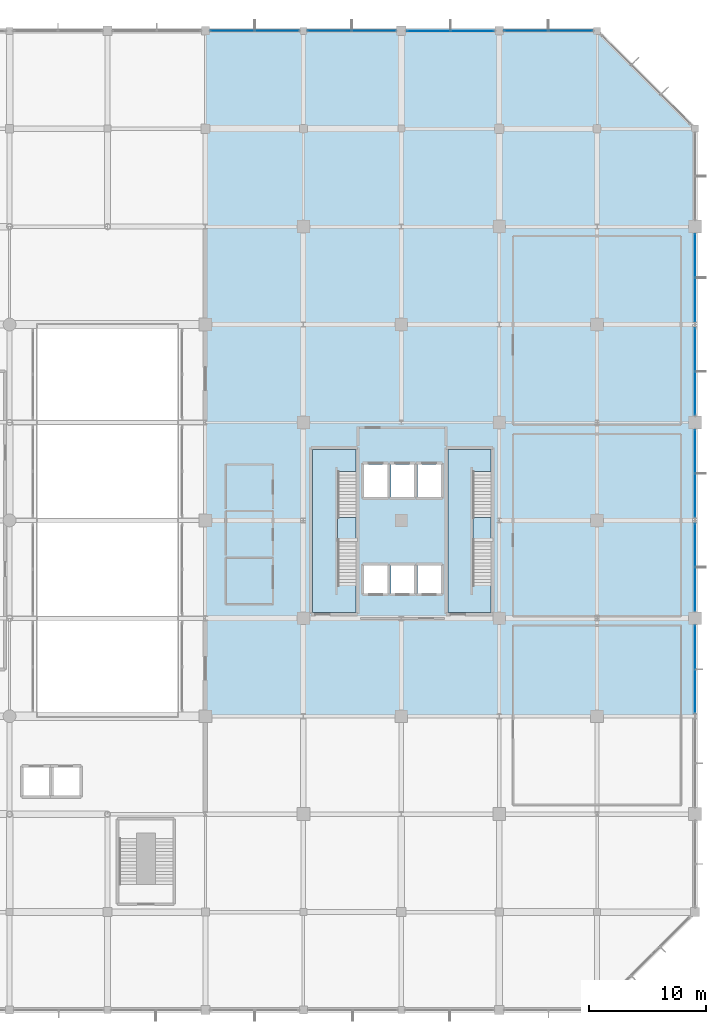
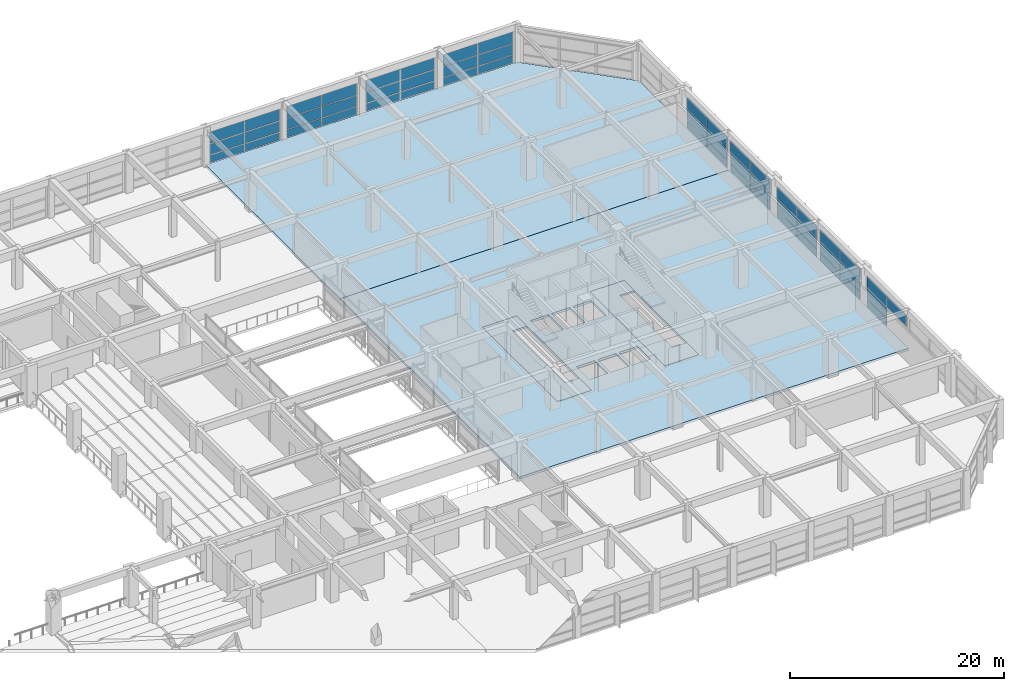
# One storey, part 47 of 62: 52 plates, 6 slabs, 11 elements without a shape of their own.
"""IFC4 building model written with IfcOpenShell, lengths in metres."""

from ifc_helpers import new_model, si_unit, direction, frame, origin, origin_2d, place, context, subcontext, project, spatial, polyline, rectangle, outline, extrude, material, layer, layer_set, type_object, element, aggregate, save


model = new_model("IFC4")

# Units and contexts
model_context = context("Model", 3, precision=1e-05, world=origin(), true_north=direction((0.0, 1.0)))
body_context = subcontext(model_context, "Body", "Model", "MODEL_VIEW")
ifc_project = project(units=[si_unit("LENGTHUNIT", "METRE"), si_unit("AREAUNIT", "SQUARE_METRE"), si_unit("VOLUMEUNIT", "CUBIC_METRE"), si_unit("PLANEANGLEUNIT", "RADIAN"), si_unit("MASSUNIT", "GRAM", prefix="KILO")], contexts=[model_context])

# Site, building, storey
site_placement = place(None, origin())
site = spatial("IfcSite", under=ifc_project, at=site_placement, CompositionType="ELEMENT")
building_placement = place(site_placement, origin())
building = spatial("IfcBuilding", under=site, at=building_placement, Name="Xuanlan Plaza Opera House", CompositionType="ELEMENT")
storey_placement = place(building_placement, frame((0.0, 0.0, 14.39990234375)))
storey = spatial("IfcBuildingStorey", under=building, at=storey_placement, Name="L03", CompositionType="ELEMENT", Elevation=14.39990234375)

# Curtain wall, plates
ifc_material_1 = material(Name="Anodised Aluminium 6063-T6 and Low-E Glass", Category="aluminium")
curtain_wall_type_1 = type_object("IfcCurtainWallType", Name="ENV-CW-CW-03", PredefinedType="USERDEFINED", material=ifc_material_1)
curtain_wall_1_placement = place(storey_placement, origin())
curtain_wall_1 = element("IfcCurtainWall", 1, at=curtain_wall_1_placement, inside=storey, type_object=curtain_wall_type_1, Name="Unitised Curtain Wall L03-022", ObjectType="UNITISED CURTAIN WALL", PredefinedType="USERDEFINED")
ifc_material_2 = material(Name="Laminated Acoustic Double Glazing", Category="glass")
ifc_layer_1 = layer(ifc_material_2, 0.028076171875)
ifc_layer_set_1 = layer_set([ifc_layer_1], Name="Laminated Acoustic Double Glazing")
plate_type_1 = type_object("IfcPlateType", Name="ENV-CWP-01", PredefinedType="CURTAIN_PANEL", material=ifc_layer_set_1)
plate_1_placement = place(storey_placement, frame((168.0, 44.139892578125, 2.2900390625), z_axis=(0.0, 0.0, 1.0), x_axis=(0.0, 1.0, 0.0)))
plate_1 = element("IfcPlate", 2, at=plate_1_placement, type_object=plate_type_1, Name="CW-03 panel 1.3", PredefinedType="CURTAIN_PANEL", context=body_context, shape_type="SweptSolid", body=[
    extrude(rectangle(XDim=3.699951171875, YDim=0.028076171875, at=origin_2d()), origin(), (0.0, 0.0, 1.0), 1.31005859375),
])
plate_2_placement = place(storey_placement, frame((168.0, 47.909912109375, 0.080078125), z_axis=(0.0, 0.0, 1.0), x_axis=(0.0, 1.0, 0.0)))
plate_2 = element("IfcPlate", 3, at=plate_2_placement, type_object=plate_type_1, Name="CW-03 panel 2.1", PredefinedType="CURTAIN_PANEL", context=body_context, shape_type="SweptSolid", body=[
    extrude(rectangle(XDim=3.699951171875, YDim=0.028076171875, at=origin_2d()), origin(), (0.0, 0.0, 1.0), 0.830078125),
])
plate_3_placement = place(storey_placement, frame((168.0, 47.909912109375, 0.990234375), z_axis=(0.0, 0.0, 1.0), x_axis=(0.0, 1.0, 0.0)))
plate_3 = element("IfcPlate", 4, at=plate_3_placement, type_object=plate_type_1, Name="CW-03 panel 2.2", PredefinedType="CURTAIN_PANEL", context=body_context, shape_type="SweptSolid", body=[
    extrude(rectangle(XDim=3.699951171875, YDim=0.028076171875, at=origin_2d()), origin(), (0.0, 0.0, 1.0), 1.219970703125),
])
plate_4_placement = place(storey_placement, frame((168.0, 47.909912109375, 2.2900390625), z_axis=(0.0, 0.0, 1.0), x_axis=(0.0, 1.0, 0.0)))
plate_4 = element("IfcPlate", 5, at=plate_4_placement, type_object=plate_type_1, Name="CW-03 panel 2.3", PredefinedType="CURTAIN_PANEL", context=body_context, shape_type="SweptSolid", body=[
    extrude(rectangle(XDim=3.699951171875, YDim=0.028076171875, at=origin_2d()), origin(), (0.0, 0.0, 1.0), 1.31005859375),
])
aggregate(curtain_wall_1, [plate_1, plate_2, plate_3, plate_4])

curtain_wall_type_2 = type_object("IfcCurtainWallType", Name="ENV-CW-CW-05", PredefinedType="USERDEFINED", material=ifc_material_1)
curtain_wall_2_placement = place(storey_placement, origin())
curtain_wall_2 = element("IfcCurtainWall", 6, at=curtain_wall_2_placement, inside=storey, type_object=curtain_wall_type_2, Name="Acoustic Glazed Wall L03-032", ObjectType="ACOUSTIC GLAZED WALL", PredefinedType="USERDEFINED")
plate_5_placement = place(storey_placement, frame((132.135009765625, 100.800048828125, 0.080078125), z_axis=(0.0, 0.0, 1.0), x_axis=(-1.0, 0.0, 0.0)))
plate_5 = element("IfcPlate", 7, at=plate_5_placement, type_object=plate_type_1, Name="CW-05 panel 1.1", PredefinedType="CURTAIN_PANEL", context=body_context, shape_type="SweptSolid", body=[
    extrude(rectangle(XDim=3.75, YDim=0.028076171875, at=origin_2d()), origin(), (0.0, 0.0, 1.0), 0.830078125),
])
plate_6_placement = place(storey_placement, frame((132.135009765625, 100.800048828125, 0.990234375), z_axis=(0.0, 0.0, 1.0), x_axis=(-1.0, 0.0, 0.0)))
plate_6 = element("IfcPlate", 8, at=plate_6_placement, type_object=plate_type_1, Name="CW-05 panel 1.2", PredefinedType="CURTAIN_PANEL", context=body_context, shape_type="SweptSolid", body=[
    extrude(rectangle(XDim=3.75, YDim=0.028076171875, at=origin_2d()), origin(), (0.0, 0.0, 1.0), 1.219970703125),
])
plate_7_placement = place(storey_placement, frame((132.135009765625, 100.800048828125, 2.2900390625), z_axis=(0.0, 0.0, 1.0), x_axis=(-1.0, 0.0, 0.0)))
plate_7 = element("IfcPlate", 9, at=plate_7_placement, type_object=plate_type_1, Name="CW-05 panel 1.3", PredefinedType="CURTAIN_PANEL", context=body_context, shape_type="SweptSolid", body=[
    extrude(rectangle(XDim=3.75, YDim=0.028076171875, at=origin_2d()), origin(), (0.0, 0.0, 1.0), 1.31005859375),
])
plate_8_placement = place(storey_placement, frame((128.31494140625, 100.800048828125, 0.080078125), z_axis=(0.0, 0.0, 1.0), x_axis=(-1.0, 0.0, 0.0)))
plate_8 = element("IfcPlate", 10, at=plate_8_placement, type_object=plate_type_1, Name="CW-05 panel 2.1", PredefinedType="CURTAIN_PANEL", context=body_context, shape_type="SweptSolid", body=[
    extrude(rectangle(XDim=3.75, YDim=0.028076171875, at=origin_2d()), origin(), (0.0, 0.0, 1.0), 0.830078125),
])
plate_9_placement = place(storey_placement, frame((128.31494140625, 100.800048828125, 0.990234375), z_axis=(0.0, 0.0, 1.0), x_axis=(-1.0, 0.0, 0.0)))
plate_9 = element("IfcPlate", 11, at=plate_9_placement, type_object=plate_type_1, Name="CW-05 panel 2.2", PredefinedType="CURTAIN_PANEL", context=body_context, shape_type="SweptSolid", body=[
    extrude(rectangle(XDim=3.75, YDim=0.028076171875, at=origin_2d()), origin(), (0.0, 0.0, 1.0), 1.219970703125),
])
plate_10_placement = place(storey_placement, frame((128.31494140625, 100.800048828125, 2.2900390625), z_axis=(0.0, 0.0, 1.0), x_axis=(-1.0, 0.0, 0.0)))
plate_10 = element("IfcPlate", 12, at=plate_10_placement, type_object=plate_type_1, Name="CW-05 panel 2.3", PredefinedType="CURTAIN_PANEL", context=body_context, shape_type="SweptSolid", body=[
    extrude(rectangle(XDim=3.75, YDim=0.028076171875, at=origin_2d()), origin(), (0.0, 0.0, 1.0), 1.31005859375),
])
aggregate(curtain_wall_2, [plate_5, plate_6, plate_7, plate_8, plate_9, plate_10])

curtain_wall_type_3 = type_object("IfcCurtainWallType", Name="ENV-CW-CW-01", PredefinedType="USERDEFINED", material=ifc_material_1)
curtain_wall_3_placement = place(storey_placement, origin())
curtain_wall_3 = element("IfcCurtainWall", 13, at=curtain_wall_3_placement, inside=storey, type_object=curtain_wall_type_3, Name="Unitised Curtain Wall L03-024", ObjectType="UNITISED CURTAIN WALL", PredefinedType="USERDEFINED")
ifc_layer_2 = layer(ifc_material_2, 0.031982421875)
ifc_layer_set_2 = layer_set([ifc_layer_2], Name="Laminated Acoustic Double Glazing")
plate_type_2 = type_object("IfcPlateType", Name="ENV-CWP-02", PredefinedType="CURTAIN_PANEL", material=ifc_layer_set_2)
plate_11_placement = place(storey_placement, frame((168.0, 60.9423828125, 0.0751953125), z_axis=(0.0, 0.0, 1.0), x_axis=(0.0, 1.0, 0.0)))
plate_11 = element("IfcPlate", 14, at=plate_11_placement, type_object=plate_type_2, Name="CW-01 panel 1.1", PredefinedType="CURTAIN_PANEL", context=body_context, shape_type="SweptSolid", body=[
    extrude(rectangle(XDim=3.68505859375, YDim=0.031982421875, at=origin_2d()), origin(), (0.0, 0.0, 1.0), 0.83740234375),
])
plate_12_placement = place(storey_placement, frame((168.0, 60.9423828125, 0.987548828125), z_axis=(0.0, 0.0, 1.0), x_axis=(0.0, 1.0, 0.0)))
plate_12 = element("IfcPlate", 15, at=plate_12_placement, type_object=plate_type_2, Name="CW-01 panel 1.2", PredefinedType="CURTAIN_PANEL", context=body_context, shape_type="SweptSolid", body=[
    extrude(rectangle(XDim=3.68505859375, YDim=0.031982421875, at=origin_2d()), origin(), (0.0, 0.0, 1.0), 1.22509765625),
])
plate_13_placement = place(storey_placement, frame((168.0, 60.9423828125, 2.28759765625), z_axis=(0.0, 0.0, 1.0), x_axis=(0.0, 1.0, 0.0)))
plate_13 = element("IfcPlate", 16, at=plate_13_placement, type_object=plate_type_2, Name="CW-01 panel 1.3", PredefinedType="CURTAIN_PANEL", context=body_context, shape_type="SweptSolid", body=[
    extrude(rectangle(XDim=3.68505859375, YDim=0.031982421875, at=origin_2d()), origin(), (0.0, 0.0, 1.0), 1.3173828125),
])
plate_14_placement = place(storey_placement, frame((168.0, 64.70751953125, 0.0751953125), z_axis=(0.0, 0.0, 1.0), x_axis=(0.0, 1.0, 0.0)))
plate_14 = element("IfcPlate", 17, at=plate_14_placement, type_object=plate_type_2, Name="CW-01 panel 2.1", PredefinedType="CURTAIN_PANEL", context=body_context, shape_type="SweptSolid", body=[
    extrude(rectangle(XDim=3.68505859375, YDim=0.031982421875, at=origin_2d()), origin(), (0.0, 0.0, 1.0), 0.83740234375),
])
plate_15_placement = place(storey_placement, frame((168.0, 64.70751953125, 0.987548828125), z_axis=(0.0, 0.0, 1.0), x_axis=(0.0, 1.0, 0.0)))
plate_15 = element("IfcPlate", 18, at=plate_15_placement, type_object=plate_type_2, Name="CW-01 panel 2.2", PredefinedType="CURTAIN_PANEL", context=body_context, shape_type="SweptSolid", body=[
    extrude(rectangle(XDim=3.68505859375, YDim=0.031982421875, at=origin_2d()), origin(), (0.0, 0.0, 1.0), 1.22509765625),
])
plate_16_placement = place(storey_placement, frame((168.0, 64.70751953125, 2.28759765625), z_axis=(0.0, 0.0, 1.0), x_axis=(0.0, 1.0, 0.0)))
plate_16 = element("IfcPlate", 19, at=plate_16_placement, type_object=plate_type_2, Name="CW-01 panel 2.3", PredefinedType="CURTAIN_PANEL", context=body_context, shape_type="SweptSolid", body=[
    extrude(rectangle(XDim=3.68505859375, YDim=0.031982421875, at=origin_2d()), origin(), (0.0, 0.0, 1.0), 1.3173828125),
])
aggregate(curtain_wall_3, [plate_11, plate_12, plate_13, plate_14, plate_15, plate_16])

curtain_wall_type_4 = type_object("IfcCurtainWallType", Name="ENV-CW-CW-02", PredefinedType="USERDEFINED", material=ifc_material_1)
curtain_wall_4_placement = place(storey_placement, origin())
curtain_wall_4 = element("IfcCurtainWall", 20, at=curtain_wall_4_placement, inside=storey, type_object=curtain_wall_type_4, Name="Unitised Curtain Wall L03-029", ObjectType="UNITISED CURTAIN WALL", PredefinedType="USERDEFINED")
plate_17_placement = place(storey_placement, frame((157.33251953125, 100.800048828125, 0.0751953125), z_axis=(0.0, 0.0, 1.0), x_axis=(-1.0, 0.0, 0.0)))
plate_17 = element("IfcPlate", 21, at=plate_17_placement, type_object=plate_type_2, Name="CW-02 panel 1.1", PredefinedType="CURTAIN_PANEL", context=body_context, shape_type="SweptSolid", body=[
    extrude(rectangle(XDim=3.735107421875, YDim=0.031982421875, at=origin_2d()), origin(), (0.0, 0.0, 1.0), 0.83740234375),
])
plate_18_placement = place(storey_placement, frame((157.33251953125, 100.800048828125, 0.987548828125), z_axis=(0.0, 0.0, 1.0), x_axis=(-1.0, 0.0, 0.0)))
plate_18 = element("IfcPlate", 22, at=plate_18_placement, type_object=plate_type_2, Name="CW-02 panel 1.2", PredefinedType="CURTAIN_PANEL", context=body_context, shape_type="SweptSolid", body=[
    extrude(rectangle(XDim=3.735107421875, YDim=0.031982421875, at=origin_2d()), origin(), (0.0, 0.0, 1.0), 1.22509765625),
])
plate_19_placement = place(storey_placement, frame((157.33251953125, 100.800048828125, 2.28759765625), z_axis=(0.0, 0.0, 1.0), x_axis=(-1.0, 0.0, 0.0)))
plate_19 = element("IfcPlate", 23, at=plate_19_placement, type_object=plate_type_2, Name="CW-02 panel 1.3", PredefinedType="CURTAIN_PANEL", context=body_context, shape_type="SweptSolid", body=[
    extrude(rectangle(XDim=3.735107421875, YDim=0.031982421875, at=origin_2d()), origin(), (0.0, 0.0, 1.0), 1.3173828125),
])
plate_20_placement = place(storey_placement, frame((153.517578125, 100.800048828125, 0.0751953125), z_axis=(0.0, 0.0, 1.0), x_axis=(-1.0, 0.0, 0.0)))
plate_20 = element("IfcPlate", 24, at=plate_20_placement, type_object=plate_type_2, Name="CW-02 panel 2.1", PredefinedType="CURTAIN_PANEL", context=body_context, shape_type="SweptSolid", body=[
    extrude(rectangle(XDim=3.735107421875, YDim=0.031982421875, at=origin_2d()), origin(), (0.0, 0.0, 1.0), 0.83740234375),
])
plate_21_placement = place(storey_placement, frame((153.517578125, 100.800048828125, 0.987548828125), z_axis=(0.0, 0.0, 1.0), x_axis=(-1.0, 0.0, 0.0)))
plate_21 = element("IfcPlate", 25, at=plate_21_placement, type_object=plate_type_2, Name="CW-02 panel 2.2", PredefinedType="CURTAIN_PANEL", context=body_context, shape_type="SweptSolid", body=[
    extrude(rectangle(XDim=3.735107421875, YDim=0.031982421875, at=origin_2d()), origin(), (0.0, 0.0, 1.0), 1.22509765625),
])
plate_22_placement = place(storey_placement, frame((153.517578125, 100.800048828125, 2.28759765625), z_axis=(0.0, 0.0, 1.0), x_axis=(-1.0, 0.0, 0.0)))
plate_22 = element("IfcPlate", 26, at=plate_22_placement, type_object=plate_type_2, Name="CW-02 panel 2.3", PredefinedType="CURTAIN_PANEL", context=body_context, shape_type="SweptSolid", body=[
    extrude(rectangle(XDim=3.735107421875, YDim=0.031982421875, at=origin_2d()), origin(), (0.0, 0.0, 1.0), 1.3173828125),
])
aggregate(curtain_wall_4, [plate_17, plate_18, plate_19, plate_20, plate_21, plate_22])

curtain_wall_5_placement = place(storey_placement, origin())
curtain_wall_5 = element("IfcCurtainWall", 27, at=curtain_wall_5_placement, inside=storey, type_object=curtain_wall_type_1, Name="Unitised Curtain Wall L03-026", ObjectType="UNITISED CURTAIN WALL", PredefinedType="USERDEFINED")
ifc_layer_3 = layer(ifc_material_2, 0.035888671875)
ifc_layer_set_3 = layer_set([ifc_layer_3], Name="Laminated Acoustic Double Glazing")
plate_type_3 = type_object("IfcPlateType", Name="ENV-CWP-03", PredefinedType="CURTAIN_PANEL", material=ifc_layer_set_3)
plate_23_placement = place(storey_placement, frame((168.0, 77.73876953125, 0.0703125), z_axis=(0.0, 0.0, 1.0), x_axis=(0.0, 1.0, 0.0)))
plate_23 = element("IfcPlate", 28, at=plate_23_placement, type_object=plate_type_3, Name="CW-03 panel 1.1", PredefinedType="CURTAIN_PANEL", context=body_context, shape_type="SweptSolid", body=[
    extrude(rectangle(XDim=3.70751953125, YDim=0.035888671875, at=origin_2d()), origin(), (0.0, 0.0, 1.0), 0.844970703125),
])
plate_24_placement = place(storey_placement, frame((168.0, 77.73876953125, 0.985107421875), z_axis=(0.0, 0.0, 1.0), x_axis=(0.0, 1.0, 0.0)))
plate_24 = element("IfcPlate", 29, at=plate_24_placement, type_object=plate_type_3, Name="CW-03 panel 1.2", PredefinedType="CURTAIN_PANEL", context=body_context, shape_type="SweptSolid", body=[
    extrude(rectangle(XDim=3.70751953125, YDim=0.035888671875, at=origin_2d()), origin(), (0.0, 0.0, 1.0), 1.22998046875),
])
plate_25_placement = place(storey_placement, frame((168.0, 77.73876953125, 2.28515625), z_axis=(0.0, 0.0, 1.0), x_axis=(0.0, 1.0, 0.0)))
plate_25 = element("IfcPlate", 30, at=plate_25_placement, type_object=plate_type_3, Name="CW-03 panel 1.3", PredefinedType="CURTAIN_PANEL", context=body_context, shape_type="SweptSolid", body=[
    extrude(rectangle(XDim=3.70751953125, YDim=0.035888671875, at=origin_2d()), origin(), (0.0, 0.0, 1.0), 1.324951171875),
])
plate_26_placement = place(storey_placement, frame((168.0, 81.51123046875, 0.0703125), z_axis=(0.0, 0.0, 1.0), x_axis=(0.0, 1.0, 0.0)))
plate_26 = element("IfcPlate", 31, at=plate_26_placement, type_object=plate_type_3, Name="CW-03 panel 2.1", PredefinedType="CURTAIN_PANEL", context=body_context, shape_type="SweptSolid", body=[
    extrude(rectangle(XDim=3.70751953125, YDim=0.035888671875, at=origin_2d()), origin(), (0.0, 0.0, 1.0), 0.844970703125),
])
plate_27_placement = place(storey_placement, frame((168.0, 81.51123046875, 0.985107421875), z_axis=(0.0, 0.0, 1.0), x_axis=(0.0, 1.0, 0.0)))
plate_27 = element("IfcPlate", 32, at=plate_27_placement, type_object=plate_type_3, Name="CW-03 panel 2.2", PredefinedType="CURTAIN_PANEL", context=body_context, shape_type="SweptSolid", body=[
    extrude(rectangle(XDim=3.70751953125, YDim=0.035888671875, at=origin_2d()), origin(), (0.0, 0.0, 1.0), 1.22998046875),
])
plate_28_placement = place(storey_placement, frame((168.0, 81.51123046875, 2.28515625), z_axis=(0.0, 0.0, 1.0), x_axis=(0.0, 1.0, 0.0)))
plate_28 = element("IfcPlate", 33, at=plate_28_placement, type_object=plate_type_3, Name="CW-03 panel 2.3", PredefinedType="CURTAIN_PANEL", context=body_context, shape_type="SweptSolid", body=[
    extrude(rectangle(XDim=3.70751953125, YDim=0.035888671875, at=origin_2d()), origin(), (0.0, 0.0, 1.0), 1.324951171875),
])
aggregate(curtain_wall_5, [plate_23, plate_24, plate_25, plate_26, plate_27, plate_28])

curtain_wall_type_5 = type_object("IfcCurtainWallType", Name="ENV-CW-CW-04", PredefinedType="USERDEFINED", material=ifc_material_1)
curtain_wall_6_placement = place(storey_placement, origin())
curtain_wall_6 = element("IfcCurtainWall", 34, at=curtain_wall_6_placement, inside=storey, type_object=curtain_wall_type_5, Name="Unitised Curtain Wall L03-031", ObjectType="UNITISED CURTAIN WALL", PredefinedType="USERDEFINED")
plate_29_placement = place(storey_placement, frame((140.44873046875, 100.800048828125, 0.0703125), z_axis=(0.0, 0.0, 1.0), x_axis=(-1.0, 0.0, 0.0)))
plate_29 = element("IfcPlate", 35, at=plate_29_placement, type_object=plate_type_3, Name="CW-04 panel 1.1", PredefinedType="CURTAIN_PANEL", context=body_context, shape_type="SweptSolid", body=[
    extrude(rectangle(XDim=3.732421875, YDim=0.035888671875, at=origin_2d()), origin(), (0.0, 0.0, 1.0), 0.844970703125),
])
plate_30_placement = place(storey_placement, frame((140.44873046875, 100.800048828125, 0.985107421875), z_axis=(0.0, 0.0, 1.0), x_axis=(-1.0, 0.0, 0.0)))
plate_30 = element("IfcPlate", 36, at=plate_30_placement, type_object=plate_type_3, Name="CW-04 panel 1.2", PredefinedType="CURTAIN_PANEL", context=body_context, shape_type="SweptSolid", body=[
    extrude(rectangle(XDim=3.732421875, YDim=0.035888671875, at=origin_2d()), origin(), (0.0, 0.0, 1.0), 1.22998046875),
])
plate_31_placement = place(storey_placement, frame((140.44873046875, 100.800048828125, 2.28515625), z_axis=(0.0, 0.0, 1.0), x_axis=(-1.0, 0.0, 0.0)))
plate_31 = element("IfcPlate", 37, at=plate_31_placement, type_object=plate_type_3, Name="CW-04 panel 1.3", PredefinedType="CURTAIN_PANEL", context=body_context, shape_type="SweptSolid", body=[
    extrude(rectangle(XDim=3.732421875, YDim=0.035888671875, at=origin_2d()), origin(), (0.0, 0.0, 1.0), 1.324951171875),
])
plate_32_placement = place(storey_placement, frame((136.6513671875, 100.800048828125, 0.0703125), z_axis=(0.0, 0.0, 1.0), x_axis=(-1.0, 0.0, 0.0)))
plate_32 = element("IfcPlate", 38, at=plate_32_placement, type_object=plate_type_3, Name="CW-04 panel 2.1", PredefinedType="CURTAIN_PANEL", context=body_context, shape_type="SweptSolid", body=[
    extrude(rectangle(XDim=3.732421875, YDim=0.035888671875, at=origin_2d()), origin(), (0.0, 0.0, 1.0), 0.844970703125),
])
plate_33_placement = place(storey_placement, frame((136.6513671875, 100.800048828125, 0.985107421875), z_axis=(0.0, 0.0, 1.0), x_axis=(-1.0, 0.0, 0.0)))
plate_33 = element("IfcPlate", 39, at=plate_33_placement, type_object=plate_type_3, Name="CW-04 panel 2.2", PredefinedType="CURTAIN_PANEL", context=body_context, shape_type="SweptSolid", body=[
    extrude(rectangle(XDim=3.732421875, YDim=0.035888671875, at=origin_2d()), origin(), (0.0, 0.0, 1.0), 1.22998046875),
])
plate_34_placement = place(storey_placement, frame((136.6513671875, 100.800048828125, 2.28515625), z_axis=(0.0, 0.0, 1.0), x_axis=(-1.0, 0.0, 0.0)))
plate_34 = element("IfcPlate", 40, at=plate_34_placement, type_object=plate_type_3, Name="CW-04 panel 2.3", PredefinedType="CURTAIN_PANEL", context=body_context, shape_type="SweptSolid", body=[
    extrude(rectangle(XDim=3.732421875, YDim=0.035888671875, at=origin_2d()), origin(), (0.0, 0.0, 1.0), 1.324951171875),
])
aggregate(curtain_wall_6, [plate_29, plate_30, plate_31, plate_32, plate_33, plate_34])

curtain_wall_7_placement = place(storey_placement, origin())
curtain_wall_7 = element("IfcCurtainWall", 41, at=curtain_wall_7_placement, inside=storey, type_object=curtain_wall_type_5, Name="Unitised Curtain Wall L03-023", ObjectType="UNITISED CURTAIN WALL", PredefinedType="USERDEFINED")
ifc_layer_4 = layer(ifc_material_2, 0.0400390625)
ifc_layer_set_4 = layer_set([ifc_layer_4], Name="Laminated Acoustic Double Glazing")
plate_type_4 = type_object("IfcPlateType", Name="ENV-CWP-04", PredefinedType="CURTAIN_PANEL", material=ifc_layer_set_4)
plate_35_placement = place(storey_placement, frame((168.0, 52.891357421875, 0.065185546875), z_axis=(0.0, 0.0, 1.0), x_axis=(0.0, 1.0, 0.0)))
plate_35 = element("IfcPlate", 42, at=plate_35_placement, type_object=plate_type_4, Name="CW-04 panel 1.1", PredefinedType="CURTAIN_PANEL", context=body_context, shape_type="SweptSolid", body=[
    extrude(rectangle(XDim=3.6923828125, YDim=0.0400390625, at=origin_2d()), origin(), (0.0, 0.0, 1.0), 0.8525390625),
])
plate_36_placement = place(storey_placement, frame((168.0, 52.891357421875, 0.982421875), z_axis=(0.0, 0.0, 1.0), x_axis=(0.0, 1.0, 0.0)))
plate_36 = element("IfcPlate", 43, at=plate_36_placement, type_object=plate_type_4, Name="CW-04 panel 1.2", PredefinedType="CURTAIN_PANEL", context=body_context, shape_type="SweptSolid", body=[
    extrude(rectangle(XDim=3.6923828125, YDim=0.0400390625, at=origin_2d()), origin(), (0.0, 0.0, 1.0), 1.235107421875),
])
plate_37_placement = place(storey_placement, frame((168.0, 52.891357421875, 2.282470703125), z_axis=(0.0, 0.0, 1.0), x_axis=(0.0, 1.0, 0.0)))
plate_37 = element("IfcPlate", 44, at=plate_37_placement, type_object=plate_type_4, Name="CW-04 panel 1.3", PredefinedType="CURTAIN_PANEL", context=body_context, shape_type="SweptSolid", body=[
    extrude(rectangle(XDim=3.6923828125, YDim=0.0400390625, at=origin_2d()), origin(), (0.0, 0.0, 1.0), 1.33251953125),
])
plate_38_placement = place(storey_placement, frame((168.0, 56.65869140625, 0.065185546875), z_axis=(0.0, 0.0, 1.0), x_axis=(0.0, 1.0, 0.0)))
plate_38 = element("IfcPlate", 45, at=plate_38_placement, type_object=plate_type_4, Name="CW-04 panel 2.1", PredefinedType="CURTAIN_PANEL", context=body_context, shape_type="SweptSolid", body=[
    extrude(rectangle(XDim=3.6923828125, YDim=0.0400390625, at=origin_2d()), origin(), (0.0, 0.0, 1.0), 0.8525390625),
])
plate_39_placement = place(storey_placement, frame((168.0, 56.65869140625, 0.982421875), z_axis=(0.0, 0.0, 1.0), x_axis=(0.0, 1.0, 0.0)))
plate_39 = element("IfcPlate", 46, at=plate_39_placement, type_object=plate_type_4, Name="CW-04 panel 2.2", PredefinedType="CURTAIN_PANEL", context=body_context, shape_type="SweptSolid", body=[
    extrude(rectangle(XDim=3.6923828125, YDim=0.0400390625, at=origin_2d()), origin(), (0.0, 0.0, 1.0), 1.235107421875),
])
plate_40_placement = place(storey_placement, frame((168.0, 56.65869140625, 2.282470703125), z_axis=(0.0, 0.0, 1.0), x_axis=(0.0, 1.0, 0.0)))
plate_40 = element("IfcPlate", 47, at=plate_40_placement, type_object=plate_type_4, Name="CW-04 panel 2.3", PredefinedType="CURTAIN_PANEL", context=body_context, shape_type="SweptSolid", body=[
    extrude(rectangle(XDim=3.6923828125, YDim=0.0400390625, at=origin_2d()), origin(), (0.0, 0.0, 1.0), 1.33251953125),
])
aggregate(curtain_wall_7, [plate_35, plate_36, plate_37, plate_38, plate_39, plate_40])

curtain_wall_8_placement = place(storey_placement, origin())
curtain_wall_8 = element("IfcCurtainWall", 48, at=curtain_wall_8_placement, inside=storey, type_object=curtain_wall_type_4, Name="Unitised Curtain Wall L03-025", ObjectType="UNITISED CURTAIN WALL", PredefinedType="USERDEFINED")
ifc_layer_5 = layer(ifc_material_2, 0.0439453125)
ifc_layer_set_5 = layer_set([ifc_layer_5], Name="Laminated Acoustic Double Glazing")
plate_type_5 = type_object("IfcPlateType", Name="ENV-CWP-05", PredefinedType="CURTAIN_PANEL", material=ifc_layer_set_5)
plate_41_placement = place(storey_placement, frame((168.0, 69.695068359375, 0.090087890625), z_axis=(0.0, 0.0, 1.0), x_axis=(0.0, 1.0, 0.0)))
plate_41 = element("IfcPlate", 49, at=plate_41_placement, type_object=plate_type_5, Name="CW-02 panel 1.1", PredefinedType="CURTAIN_PANEL", context=body_context, shape_type="SweptSolid", body=[
    extrude(rectangle(XDim=3.669921875, YDim=0.0439453125, at=origin_2d()), origin(), (0.0, 0.0, 1.0), 0.81494140625),
])
plate_42_placement = place(storey_placement, frame((168.0, 69.695068359375, 0.9951171875), z_axis=(0.0, 0.0, 1.0), x_axis=(0.0, 1.0, 0.0)))
plate_42 = element("IfcPlate", 50, at=plate_42_placement, type_object=plate_type_5, Name="CW-02 panel 1.2", PredefinedType="CURTAIN_PANEL", context=body_context, shape_type="SweptSolid", body=[
    extrude(rectangle(XDim=3.669921875, YDim=0.0439453125, at=origin_2d()), origin(), (0.0, 0.0, 1.0), 1.2099609375),
])
plate_43_placement = place(storey_placement, frame((168.0, 69.695068359375, 2.295166015625), z_axis=(0.0, 0.0, 1.0), x_axis=(0.0, 1.0, 0.0)))
plate_43 = element("IfcPlate", 51, at=plate_43_placement, type_object=plate_type_5, Name="CW-02 panel 1.3", PredefinedType="CURTAIN_PANEL", context=body_context, shape_type="SweptSolid", body=[
    extrude(rectangle(XDim=3.669921875, YDim=0.0439453125, at=origin_2d()), origin(), (0.0, 0.0, 1.0), 1.294921875),
])
plate_44_placement = place(storey_placement, frame((168.0, 73.455078125, 0.090087890625), z_axis=(0.0, 0.0, 1.0), x_axis=(0.0, 1.0, 0.0)))
plate_44 = element("IfcPlate", 52, at=plate_44_placement, type_object=plate_type_5, Name="CW-02 panel 2.1", PredefinedType="CURTAIN_PANEL", context=body_context, shape_type="SweptSolid", body=[
    extrude(rectangle(XDim=3.669921875, YDim=0.0439453125, at=origin_2d()), origin(), (0.0, 0.0, 1.0), 0.81494140625),
])
plate_45_placement = place(storey_placement, frame((168.0, 73.455078125, 0.9951171875), z_axis=(0.0, 0.0, 1.0), x_axis=(0.0, 1.0, 0.0)))
plate_45 = element("IfcPlate", 53, at=plate_45_placement, type_object=plate_type_5, Name="CW-02 panel 2.2", PredefinedType="CURTAIN_PANEL", context=body_context, shape_type="SweptSolid", body=[
    extrude(rectangle(XDim=3.669921875, YDim=0.0439453125, at=origin_2d()), origin(), (0.0, 0.0, 1.0), 1.2099609375),
])
plate_46_placement = place(storey_placement, frame((168.0, 73.455078125, 2.295166015625), z_axis=(0.0, 0.0, 1.0), x_axis=(0.0, 1.0, 0.0)))
plate_46 = element("IfcPlate", 54, at=plate_46_placement, type_object=plate_type_5, Name="CW-02 panel 2.3", PredefinedType="CURTAIN_PANEL", context=body_context, shape_type="SweptSolid", body=[
    extrude(rectangle(XDim=3.669921875, YDim=0.0439453125, at=origin_2d()), origin(), (0.0, 0.0, 1.0), 1.294921875),
])
aggregate(curtain_wall_8, [plate_41, plate_42, plate_43, plate_44, plate_45, plate_46])

curtain_wall_9_placement = place(storey_placement, origin())
curtain_wall_9 = element("IfcCurtainWall", 55, at=curtain_wall_9_placement, inside=storey, type_object=curtain_wall_type_1, Name="Unitised Curtain Wall L03-030", ObjectType="UNITISED CURTAIN WALL", PredefinedType="USERDEFINED")
plate_47_placement = place(storey_placement, frame((148.905029296875, 100.800048828125, 0.090087890625), z_axis=(0.0, 0.0, 1.0), x_axis=(-1.0, 0.0, 0.0)))
plate_47 = element("IfcPlate", 56, at=plate_47_placement, type_object=plate_type_5, Name="CW-03 panel 1.1", PredefinedType="CURTAIN_PANEL", context=body_context, shape_type="SweptSolid", body=[
    extrude(rectangle(XDim=3.669921875, YDim=0.0439453125, at=origin_2d()), origin(), (0.0, 0.0, 1.0), 0.81494140625),
])
plate_48_placement = place(storey_placement, frame((148.905029296875, 100.800048828125, 0.9951171875), z_axis=(0.0, 0.0, 1.0), x_axis=(-1.0, 0.0, 0.0)))
plate_48 = element("IfcPlate", 57, at=plate_48_placement, type_object=plate_type_5, Name="CW-03 panel 1.2", PredefinedType="CURTAIN_PANEL", context=body_context, shape_type="SweptSolid", body=[
    extrude(rectangle(XDim=3.669921875, YDim=0.0439453125, at=origin_2d()), origin(), (0.0, 0.0, 1.0), 1.2099609375),
])
plate_49_placement = place(storey_placement, frame((148.905029296875, 100.800048828125, 2.295166015625), z_axis=(0.0, 0.0, 1.0), x_axis=(-1.0, 0.0, 0.0)))
plate_49 = element("IfcPlate", 58, at=plate_49_placement, type_object=plate_type_5, Name="CW-03 panel 1.3", PredefinedType="CURTAIN_PANEL", context=body_context, shape_type="SweptSolid", body=[
    extrude(rectangle(XDim=3.669921875, YDim=0.0439453125, at=origin_2d()), origin(), (0.0, 0.0, 1.0), 1.294921875),
])
plate_50_placement = place(storey_placement, frame((145.14501953125, 100.800048828125, 0.090087890625), z_axis=(0.0, 0.0, 1.0), x_axis=(-1.0, 0.0, 0.0)))
plate_50 = element("IfcPlate", 59, at=plate_50_placement, type_object=plate_type_5, Name="CW-03 panel 2.1", PredefinedType="CURTAIN_PANEL", context=body_context, shape_type="SweptSolid", body=[
    extrude(rectangle(XDim=3.669921875, YDim=0.0439453125, at=origin_2d()), origin(), (0.0, 0.0, 1.0), 0.81494140625),
])
plate_51_placement = place(storey_placement, frame((145.14501953125, 100.800048828125, 0.9951171875), z_axis=(0.0, 0.0, 1.0), x_axis=(-1.0, 0.0, 0.0)))
plate_51 = element("IfcPlate", 60, at=plate_51_placement, type_object=plate_type_5, Name="CW-03 panel 2.2", PredefinedType="CURTAIN_PANEL", context=body_context, shape_type="SweptSolid", body=[
    extrude(rectangle(XDim=3.669921875, YDim=0.0439453125, at=origin_2d()), origin(), (0.0, 0.0, 1.0), 1.2099609375),
])
plate_52_placement = place(storey_placement, frame((145.14501953125, 100.800048828125, 2.295166015625), z_axis=(0.0, 0.0, 1.0), x_axis=(-1.0, 0.0, 0.0)))
plate_52 = element("IfcPlate", 61, at=plate_52_placement, type_object=plate_type_5, Name="CW-03 panel 2.3", PredefinedType="CURTAIN_PANEL", context=body_context, shape_type="SweptSolid", body=[
    extrude(rectangle(XDim=3.669921875, YDim=0.0439453125, at=origin_2d()), origin(), (0.0, 0.0, 1.0), 1.294921875),
])
aggregate(curtain_wall_9, [plate_47, plate_48, plate_49, plate_50, plate_51, plate_52])

# Stair, slabs
ifc_material_3 = material(Name="Concrete C40", Category="concrete")
stair_type = type_object("IfcStairType", Name="INT-ST-STR-T155", PredefinedType="STRAIGHT_RUN_STAIR", material=ifc_material_3)
stair_1_placement = place(storey_placement, origin())
stair_1 = element("IfcStair", 62, at=stair_1_placement, inside=storey, type_object=stair_type, Name="Protected Exit Stair ST-T1 L03", PredefinedType="STRAIGHT_RUN_STAIR")
ifc_layer_6 = layer(ifc_material_3, 0.199951171875)
ifc_layer_set_6 = layer_set([ifc_layer_6], Name="Concrete C40")
slab_type_1 = type_object("IfcSlabType", Name="INT-SLB-LND-20", PredefinedType="LANDING", material=ifc_layer_set_6)
slab_1_placement = place(storey_placement, frame((0.0, 0.0, 2.050048828125)))
slab_1 = element("IfcSlab", 63, at=slab_1_placement, type_object=slab_type_1, Name="ST-T1-L03 landing 1", PredefinedType="LANDING", context=body_context, shape_type="SweptSolid", body=[
    extrude(outline(polyline([(137.35009765625, 57.135009765625), (138.89990234375, 57.135009765625), (138.89990234375, 59.034912109375), (137.35009765625, 59.034912109375), (137.35009765625, 57.135009765625)])), origin(), (0.0, 0.0, 1.0), 0.199951171875),
])
slab_2_placement = place(storey_placement, frame((0.0, 0.0, -0.199951171875)))
slab_2 = element("IfcSlab", 64, at=slab_2_placement, type_object=slab_type_1, Name="ST-T1-L03 landing 2", PredefinedType="LANDING", context=body_context, shape_type="SweptSolid", body=[
    extrude(outline(polyline([(135.199951171875, 50.89990234375), (138.89990234375, 50.89990234375), (138.89990234375, 53.195068359375), (137.35009765625, 53.195068359375), (137.35009765625, 62.97509765625), (138.89990234375, 62.97509765625), (138.89990234375, 64.89990234375), (135.199951171875, 64.89990234375), (135.199951171875, 50.89990234375)])), origin(), (0.0, 0.0, 1.0), 0.199951171875),
])
aggregate(stair_1, [slab_1, slab_2])

stair_2_placement = place(storey_placement, origin())
stair_2 = element("IfcStair", 65, at=stair_2_placement, inside=storey, type_object=stair_type, Name="Protected Exit Stair ST-T2 L03", PredefinedType="STRAIGHT_RUN_STAIR")
slab_3_placement = place(storey_placement, frame((0.0, 0.0, 2.050048828125)))
slab_3 = element("IfcSlab", 66, at=slab_3_placement, type_object=slab_type_1, Name="ST-T2-L03 landing 1", PredefinedType="LANDING", context=body_context, shape_type="SweptSolid", body=[
    extrude(outline(polyline([(148.949951171875, 57.135009765625), (150.5, 57.135009765625), (150.5, 59.034912109375), (148.949951171875, 59.034912109375), (148.949951171875, 57.135009765625)])), origin(), (0.0, 0.0, 1.0), 0.199951171875),
])
slab_4_placement = place(storey_placement, frame((0.0, 0.0, -0.199951171875)))
slab_4 = element("IfcSlab", 67, at=slab_4_placement, type_object=slab_type_1, Name="ST-T2-L03 landing 2", PredefinedType="LANDING", context=body_context, shape_type="SweptSolid", body=[
    extrude(outline(polyline([(146.800048828125, 50.89990234375), (150.5, 50.89990234375), (150.5, 53.195068359375), (148.949951171875, 53.195068359375), (148.949951171875, 62.97509765625), (150.5, 62.97509765625), (150.5, 64.89990234375), (146.800048828125, 64.89990234375), (146.800048828125, 50.89990234375)])), origin(), (0.0, 0.0, 1.0), 0.199951171875),
])
aggregate(stair_2, [slab_3, slab_4])

# Slabs
ifc_layer_7 = layer(ifc_material_3, 0.260009765625)
ifc_layer_set_7 = layer_set([ifc_layer_7], Name="Concrete C40")
slab_type_2 = type_object("IfcSlabType", Name="STR-SLB-SL-02", PredefinedType="FLOOR", material=ifc_layer_set_7)
slab_5_placement = place(storey_placement, frame((0.0, 0.0, -0.260009765625)))
element("IfcSlab", 68, at=slab_5_placement, inside=storey, type_object=slab_type_2, Name="Storey L03 Structural Floor Slab Zone 15", PredefinedType="FLOOR", context=body_context, shape_type="SweptSolid", body=[
    extrude(outline(polyline([(168.0, 42.0), (126.0, 42.0), (126.0, 75.60009765625), (168.0, 75.60009765625), (168.0, 42.0)]), holes=[polyline([(138.89990234375, 64.89990234375), (135.199951171875, 64.89990234375), (135.199951171875, 50.89990234375), (138.89990234375, 50.89990234375), (138.89990234375, 64.89990234375)]), polyline([(150.5, 50.89990234375), (150.5, 64.89990234375), (146.800048828125, 64.89990234375), (146.800048828125, 50.89990234375), (150.5, 50.89990234375)]), polyline([(141.60009765625, 60.800048828125), (141.60009765625, 63.60009765625), (139.60009765625, 63.60009765625), (139.60009765625, 60.800048828125), (141.60009765625, 60.800048828125)]), polyline([(141.89990234375, 60.800048828125), (143.89990234375, 60.800048828125), (143.89990234375, 63.60009765625), (141.89990234375, 63.60009765625), (141.89990234375, 60.800048828125)]), polyline([(144.199951171875, 63.60009765625), (144.199951171875, 60.800048828125), (146.199951171875, 60.800048828125), (146.199951171875, 63.60009765625), (144.199951171875, 63.60009765625)]), polyline([(141.60009765625, 54.949951171875), (139.60009765625, 54.949951171875), (139.60009765625, 52.550048828125), (141.60009765625, 52.550048828125), (141.60009765625, 54.949951171875)]), polyline([(143.89990234375, 52.550048828125), (143.89990234375, 54.949951171875), (141.89990234375, 54.949951171875), (141.89990234375, 52.550048828125), (143.89990234375, 52.550048828125)]), polyline([(144.199951171875, 52.550048828125), (146.199951171875, 52.550048828125), (146.199951171875, 54.949951171875), (144.199951171875, 54.949951171875), (144.199951171875, 52.550048828125)])]), origin(), (0.0, 0.0, 1.0), 0.260009765625),
])
slab_6_placement = place(storey_placement, frame((0.0, 0.0, -0.260009765625)))
element("IfcSlab", 69, at=slab_6_placement, inside=storey, type_object=slab_type_2, Name="Storey L03 Structural Floor Slab Zone 16", PredefinedType="FLOOR", context=body_context, shape_type="SweptSolid", body=[
    extrude(outline(polyline([(168.0, 75.60009765625), (126.0, 75.60009765625), (126.0, 100.800048828125), (159.60009765625, 100.800048828125), (168.0, 92.39990234375), (168.0, 75.60009765625)])), origin(), (0.0, 0.0, 1.0), 0.260009765625),
])

save(model, "model.ifc")
